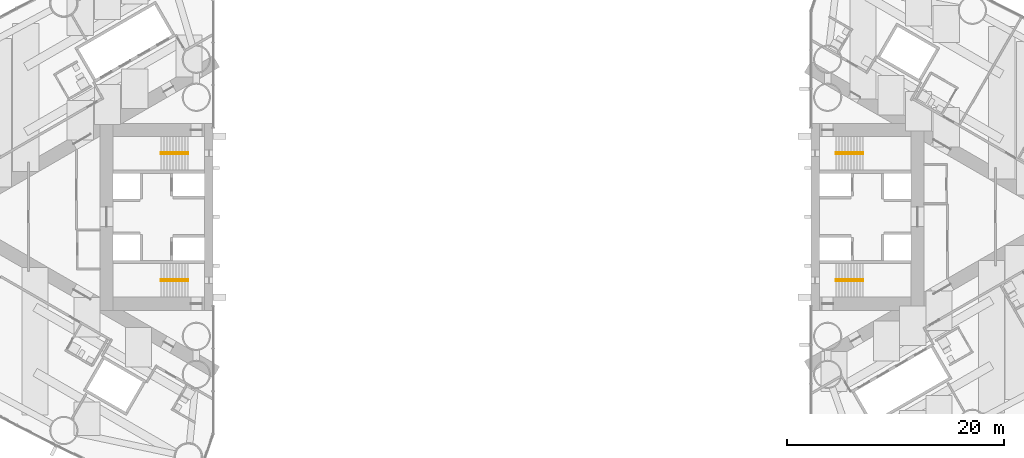
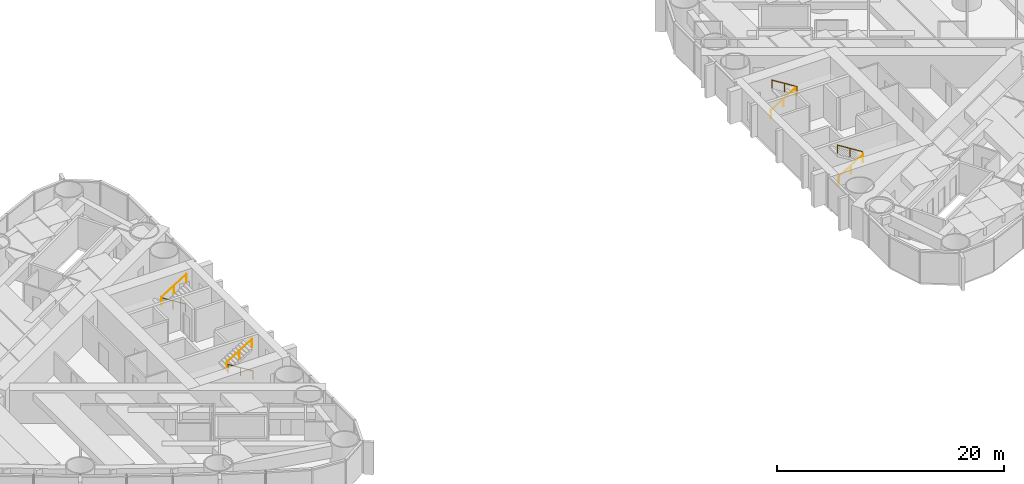
# One storey, part 17 of 18: 8 railings.
"""IFC4 building model written with IfcOpenShell, lengths in metres."""

from ifc_helpers import new_model, si_unit, direction, frame, origin, origin_2d, place, context, subcontext, project, spatial, circle, extrude, material, type_object, element, save


model = new_model("IFC4")

# Units and contexts
model_context = context("Model", 3, precision=1e-05, world=origin(), true_north=direction((0.0, 1.0)))
body_context = subcontext(model_context, "Body", "Model", "MODEL_VIEW")
ifc_project = project(units=[si_unit("LENGTHUNIT", "METRE"), si_unit("AREAUNIT", "SQUARE_METRE"), si_unit("VOLUMEUNIT", "CUBIC_METRE"), si_unit("PLANEANGLEUNIT", "RADIAN"), si_unit("MASSUNIT", "GRAM", prefix="KILO")], contexts=[model_context])

# Site, building, storey
site_placement = place(None, origin())
site = spatial("IfcSite", under=ifc_project, at=site_placement, CompositionType="ELEMENT")
building_placement = place(site_placement, origin())
building = spatial("IfcBuilding", under=site, at=building_placement, Name="Lancet Gate Hotel", CompositionType="ELEMENT")
storey_placement = place(building_placement, frame((0.0, 0.0, 139.60009765625)))
storey = spatial("IfcBuildingStorey", under=building, at=storey_placement, Name="L37", CompositionType="ELEMENT", Elevation=139.60009765625)

# Railings
ifc_material = material(Name="Stainless steel handrail", Category="steel")
railing_type = type_object("IfcRailingType", Name="Stair handrail 900", PredefinedType="HANDRAIL", material=ifc_material)
railing_1_placement = place(storey_placement, frame((-29.800048828125, 5.929931640625, 0.1748046875)))
element("IfcRailing", 1, at=railing_1_placement, inside=storey, type_object=railing_type, Name="ST1 handrail flight 1 L37", PredefinedType="HANDRAIL", context=body_context, shape_type="SweptSolid", body=[
    extrude(circle(Radius=0.02392578125, at=origin_2d()), frame((0.0, 0.0, 0.8759765625), z_axis=(-0.847970611238, 0.0, 0.530043245855), x_axis=(0.0, -1.0, 0.0)), (0.0, 0.0, 1.0), 2.971923828125),
    extrude(circle(Radius=0.02099609375, at=origin_2d()), origin(), (0.0, 0.0, 1.0), 0.851806640625),
    extrude(circle(Radius=0.02099609375, at=origin_2d()), frame((-1.260009765625, 0.0, 0.78759765625)), (0.0, 0.0, 1.0), 0.851806640625),
    extrude(circle(Radius=0.02099609375, at=origin_2d()), frame((-2.52001953125, 0.0, 1.5751953125)), (0.0, 0.0, 1.0), 0.851806640625),
])
railing_2_placement = place(storey_placement, frame((-32.320068359375, 5.77001953125, 1.9248046875)))
element("IfcRailing", 2, at=railing_2_placement, inside=storey, type_object=railing_type, Name="ST1 handrail flight 2 L37", PredefinedType="HANDRAIL", context=body_context, shape_type="SweptSolid", body=[
    extrude(circle(Radius=0.02392578125, at=origin_2d()), frame((0.0, 0.0, 0.8759765625), z_axis=(0.847970611238, 0.0, 0.530043245855), x_axis=(0.0, 1.0, 0.0)), (0.0, 0.0, 1.0), 2.971923828125),
    extrude(circle(Radius=0.02099609375, at=origin_2d()), origin(), (0.0, 0.0, 1.0), 0.851806640625),
    extrude(circle(Radius=0.02099609375, at=origin_2d()), frame((1.260009765625, 0.0, 0.78759765625)), (0.0, 0.0, 1.0), 0.851806640625),
    extrude(circle(Radius=0.02099609375, at=origin_2d()), frame((2.52001953125, 0.0, 1.5751953125)), (0.0, 0.0, 1.0), 0.851806640625),
])
railing_3_placement = place(storey_placement, frame((-29.800048828125, -5.929931640625, 0.1748046875)))
element("IfcRailing", 3, at=railing_3_placement, inside=storey, type_object=railing_type, Name="ST2 handrail flight 1 L37", PredefinedType="HANDRAIL", context=body_context, shape_type="SweptSolid", body=[
    extrude(circle(Radius=0.02392578125, at=origin_2d()), frame((0.0, 0.0, 0.8759765625), z_axis=(-0.847970611238, 0.0, 0.530043245855), x_axis=(0.0, -1.0, 0.0)), (0.0, 0.0, 1.0), 2.971923828125),
    extrude(circle(Radius=0.02099609375, at=origin_2d()), origin(), (0.0, 0.0, 1.0), 0.851806640625),
    extrude(circle(Radius=0.02099609375, at=origin_2d()), frame((-1.260009765625, 0.0, 0.78759765625)), (0.0, 0.0, 1.0), 0.851806640625),
    extrude(circle(Radius=0.02099609375, at=origin_2d()), frame((-2.52001953125, 0.0, 1.5751953125)), (0.0, 0.0, 1.0), 0.851806640625),
])
for number, where, name in (
    (4, (-32.320068359375, -5.77001953125, 1.9248046875), "ST2 handrail flight 2 L37"),
    (5, (29.800048828125, -5.929931640625, 0.1748046875), "ST3 handrail flight 1 L37"),
):
    element("IfcRailing", number, at=place(storey_placement, frame(where)), inside=storey, type_object=railing_type, Name=name, PredefinedType="HANDRAIL", context=body_context, shape_type="SweptSolid", body=[
        extrude(circle(Radius=0.02392578125, at=origin_2d()), frame((0.0, 0.0, 0.8759765625), z_axis=(0.847970611238, 0.0, 0.530043245855), x_axis=(0.0, 1.0, 0.0)), (0.0, 0.0, 1.0), 2.971923828125),
        extrude(circle(Radius=0.02099609375, at=origin_2d()), origin(), (0.0, 0.0, 1.0), 0.851806640625),
        extrude(circle(Radius=0.02099609375, at=origin_2d()), frame((1.260009765625, 0.0, 0.78759765625)), (0.0, 0.0, 1.0), 0.851806640625),
        extrude(circle(Radius=0.02099609375, at=origin_2d()), frame((2.52001953125, 0.0, 1.5751953125)), (0.0, 0.0, 1.0), 0.851806640625),
    ])
railing_4_placement = place(storey_placement, frame((32.320068359375, -5.77001953125, 1.9248046875)))
element("IfcRailing", 6, at=railing_4_placement, inside=storey, type_object=railing_type, Name="ST3 handrail flight 2 L37", PredefinedType="HANDRAIL", context=body_context, shape_type="SweptSolid", body=[
    extrude(circle(Radius=0.02392578125, at=origin_2d()), frame((0.0, 0.0, 0.8759765625), z_axis=(-0.847970611238, 0.0, 0.530043245855), x_axis=(0.0, -1.0, 0.0)), (0.0, 0.0, 1.0), 2.971923828125),
    extrude(circle(Radius=0.02099609375, at=origin_2d()), origin(), (0.0, 0.0, 1.0), 0.851806640625),
    extrude(circle(Radius=0.02099609375, at=origin_2d()), frame((-1.260009765625, 0.0, 0.78759765625)), (0.0, 0.0, 1.0), 0.851806640625),
    extrude(circle(Radius=0.02099609375, at=origin_2d()), frame((-2.52001953125, 0.0, 1.5751953125)), (0.0, 0.0, 1.0), 0.851806640625),
])
railing_5_placement = place(storey_placement, frame((29.800048828125, 5.929931640625, 0.1748046875)))
element("IfcRailing", 7, at=railing_5_placement, inside=storey, type_object=railing_type, Name="ST4 handrail flight 1 L37", PredefinedType="HANDRAIL", context=body_context, shape_type="SweptSolid", body=[
    extrude(circle(Radius=0.02392578125, at=origin_2d()), frame((0.0, 0.0, 0.8759765625), z_axis=(0.847970611238, 0.0, 0.530043245855), x_axis=(0.0, 1.0, 0.0)), (0.0, 0.0, 1.0), 2.971923828125),
    extrude(circle(Radius=0.02099609375, at=origin_2d()), origin(), (0.0, 0.0, 1.0), 0.851806640625),
    extrude(circle(Radius=0.02099609375, at=origin_2d()), frame((1.260009765625, 0.0, 0.78759765625)), (0.0, 0.0, 1.0), 0.851806640625),
    extrude(circle(Radius=0.02099609375, at=origin_2d()), frame((2.52001953125, 0.0, 1.5751953125)), (0.0, 0.0, 1.0), 0.851806640625),
])
railing_6_placement = place(storey_placement, frame((32.320068359375, 5.77001953125, 1.9248046875)))
element("IfcRailing", 8, at=railing_6_placement, inside=storey, type_object=railing_type, Name="ST4 handrail flight 2 L37", PredefinedType="HANDRAIL", context=body_context, shape_type="SweptSolid", body=[
    extrude(circle(Radius=0.02392578125, at=origin_2d()), frame((0.0, 0.0, 0.8759765625), z_axis=(-0.847970611238, 0.0, 0.530043245855), x_axis=(0.0, -1.0, 0.0)), (0.0, 0.0, 1.0), 2.971923828125),
    extrude(circle(Radius=0.02099609375, at=origin_2d()), origin(), (0.0, 0.0, 1.0), 0.851806640625),
    extrude(circle(Radius=0.02099609375, at=origin_2d()), frame((-1.260009765625, 0.0, 0.78759765625)), (0.0, 0.0, 1.0), 0.851806640625),
    extrude(circle(Radius=0.02099609375, at=origin_2d()), frame((-2.52001953125, 0.0, 1.5751953125)), (0.0, 0.0, 1.0), 0.851806640625),
])

save(model, "model.ifc")
